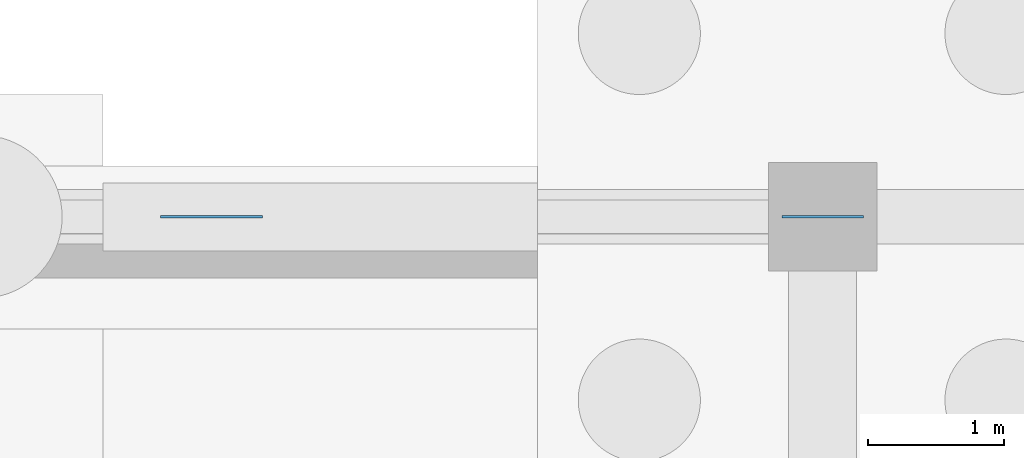
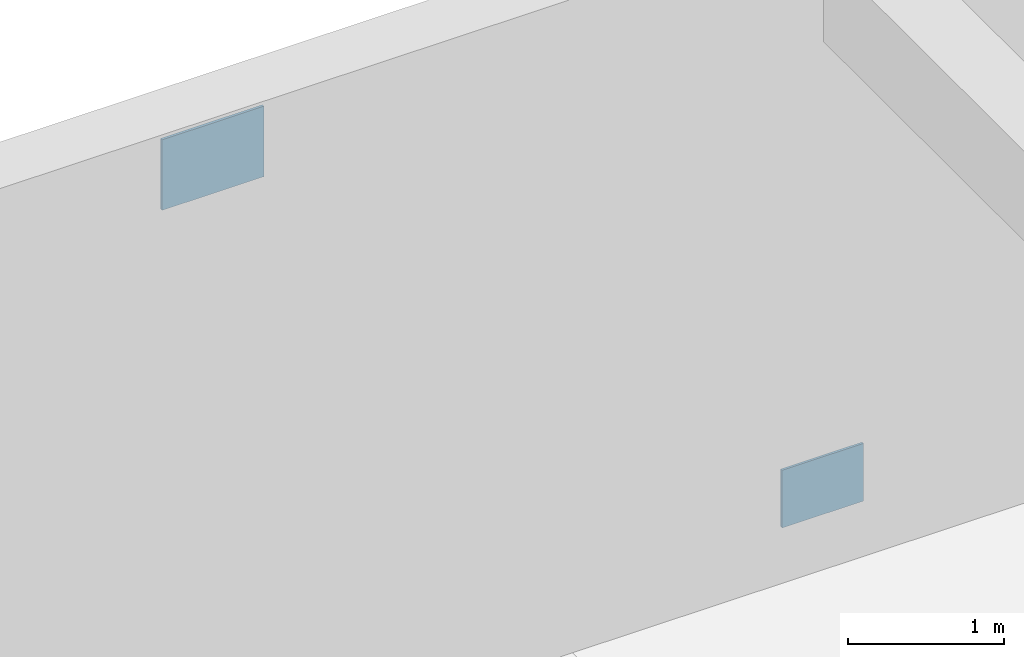
# One storey, part 41 of 62: 2 plates.
"""IFC4 building model written with IfcOpenShell, lengths in metres."""

from ifc_helpers import new_model, si_unit, direction, frame, origin, origin_2d, place, context, subcontext, project, spatial, rectangle, extrude, material, layer, layer_set, type_object, element, save


model = new_model("IFC4")

# Units and contexts
model_context = context("Model", 3, precision=1e-05, world=origin(), true_north=direction((0.0, 1.0)))
body_context = subcontext(model_context, "Body", "Model", "MODEL_VIEW")
ifc_project = project(units=[si_unit("LENGTHUNIT", "METRE"), si_unit("AREAUNIT", "SQUARE_METRE"), si_unit("VOLUMEUNIT", "CUBIC_METRE"), si_unit("PLANEANGLEUNIT", "RADIAN"), si_unit("MASSUNIT", "GRAM", prefix="KILO")], contexts=[model_context])

# Site, building, storey
site_placement = place(None, origin())
site = spatial("IfcSite", under=ifc_project, at=site_placement, CompositionType="ELEMENT")
building_placement = place(site_placement, origin())
building = spatial("IfcBuilding", under=site, at=building_placement, Name="Miravela Opera House", CompositionType="ELEMENT")
storey_placement = place(building_placement, frame((0.0, 0.0, -5.10009765625)))
storey = spatial("IfcBuildingStorey", under=building, at=storey_placement, Name="B01", CompositionType="ELEMENT", Elevation=-5.10009765625)

# Plates
ifc_material = material(Name="Structural steel ASTM A572 Gr. 50", Category="steel")
ifc_layer_1 = layer(ifc_material, 0.01806640625)
ifc_layer_set_1 = layer_set([ifc_layer_1])
plate_type_1 = type_object("IfcPlateType", Name="STR-PL-GUS-600X450X18", PredefinedType="USERDEFINED", material=ifc_layer_set_1)
plate_1_placement = place(storey_placement, frame((135.0, 112.0, 0.0751953125), z_axis=(0.0, 0.0, 1.0), x_axis=(1.0, 0.0, 0.0)))
element("IfcPlate", 1, at=plate_1_placement, inside=storey, type_object=plate_type_1, Name="Brace Wall Cast-In Embed Plate 344", ObjectType="GUSSET PLATE", PredefinedType="USERDEFINED", context=body_context, shape_type="SweptSolid", body=[
    extrude(rectangle(XDim=0.60009765625, YDim=0.01806640625, at=origin_2d()), origin(), (0.0, 0.0, 1.0), 0.449951171875),
])
ifc_layer_2 = layer(ifc_material, 0.02001953125)
ifc_layer_set_2 = layer_set([ifc_layer_2])
plate_type_2 = type_object("IfcPlateType", Name="STR-PL-GUS-750X550X20", PredefinedType="USERDEFINED", material=ifc_layer_set_2)
plate_2_placement = place(storey_placement, frame((130.5, 112.0, 4.1552734375), z_axis=(0.0, 0.0, 1.0), x_axis=(1.0, 0.0, 0.0)))
element("IfcPlate", 2, at=plate_2_placement, inside=storey, type_object=plate_type_2, Name="Chevron Brace Apex Gusset Plate 342", ObjectType="GUSSET PLATE", PredefinedType="USERDEFINED", context=body_context, shape_type="SweptSolid", body=[
    extrude(rectangle(XDim=0.75, YDim=0.02001953125, at=origin_2d()), origin(), (0.0, 0.0, 1.0), 0.550048828125),
])

save(model, "model.ifc")
